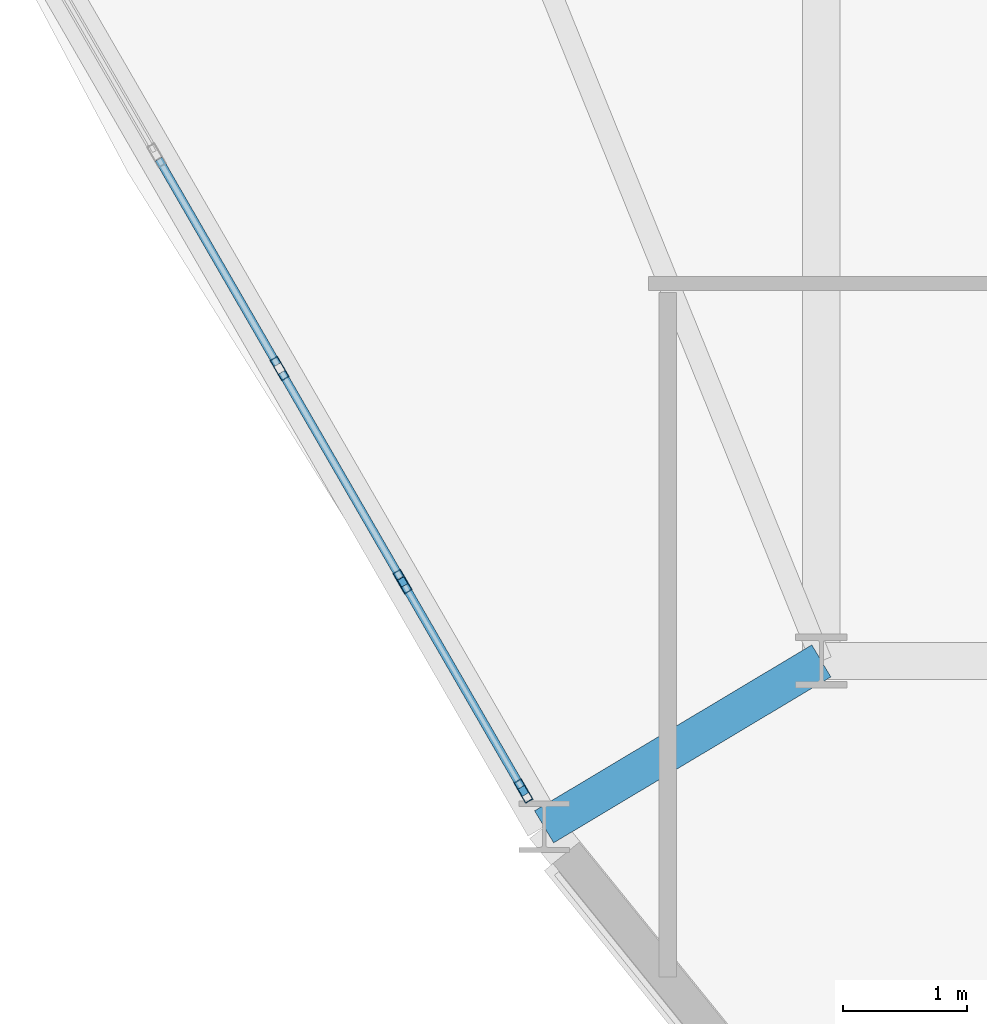
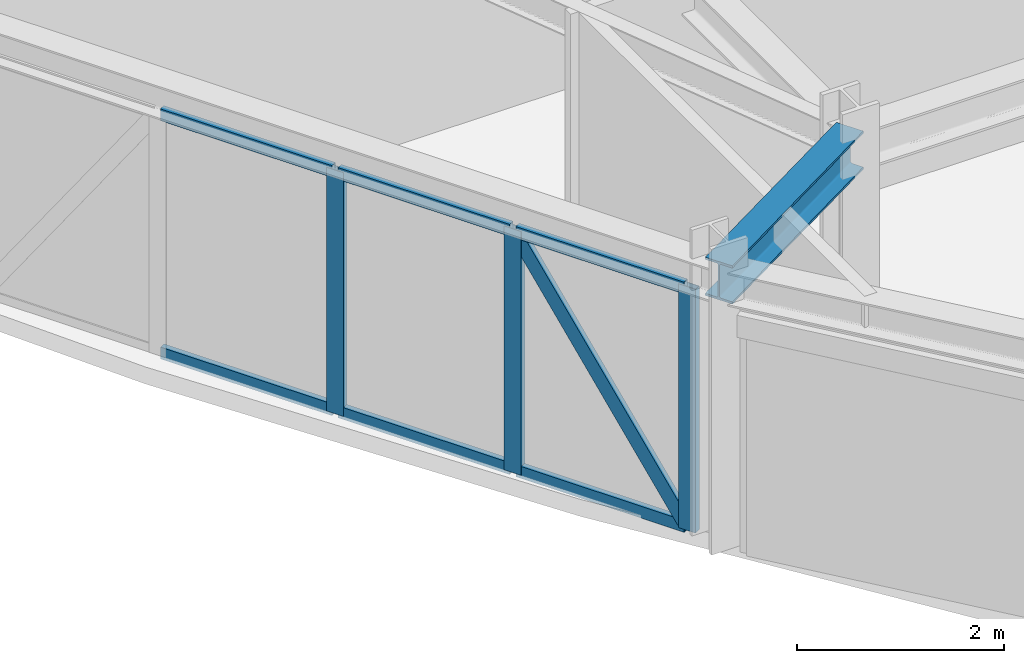
# One storey, part 2 of 14: 10 members, 1 beam, 1 element without a shape of its own.
"""IFC4 building model written with IfcOpenShell, lengths in metres."""

from ifc_helpers import new_model, si_unit, derived_unit, direction, frame, origin, origin_2d, place, context, subcontext, project, spatial, hollow_rectangle, i_section, extrude, source, transform, mapped, material, layer, layer_set, material_profile, profile_set, type_object, element, aggregate, save


model = new_model("IFC4")

# Units and contexts
model_context = context("Model", 3, precision=1e-05, world=origin(), true_north=direction((0.0, 1.0)))
body_context = subcontext(model_context, "Body", "Model", "MODEL_VIEW")
ifc_project = project(units=[si_unit("LENGTHUNIT", "METRE"), si_unit("AREAUNIT", "SQUARE_METRE"), si_unit("VOLUMEUNIT", "CUBIC_METRE"), si_unit("PLANEANGLEUNIT", "RADIAN"), si_unit("MASSUNIT", "GRAM", prefix="KILO"), derived_unit("THERMALTRANSMITTANCEUNIT", [(si_unit("POWERUNIT", "WATT"), 1), (si_unit("LENGTHUNIT", "METRE"), -2), (si_unit("THERMODYNAMICTEMPERATUREUNIT", "KELVIN"), -1)])], contexts=[model_context])

# Site, building, storey
site_placement = place(None, origin())
site = spatial("IfcSite", under=ifc_project, at=site_placement, CompositionType="ELEMENT")
building_placement = place(site_placement, origin())
building = spatial("IfcBuilding", under=site, at=building_placement, Name="Korsvarv Bourse and Concert Hall", CompositionType="ELEMENT")
storey_placement = place(building_placement, frame((0.0, 0.0, 197.39990234375)))
storey = spatial("IfcBuildingStorey", under=building, at=storey_placement, Name="L51", CompositionType="ELEMENT", Elevation=197.39990234375)

# Beam
ifc_material_1 = material(Name="Steel S355", Category="steel")
ifc_material_profile_1 = material_profile(ifc_material_1, i_section(OverallWidth=0.300048828125, OverallDepth=0.449951171875, WebThickness=0.013916015625, FlangeThickness=0.02587890625, FilletRadius=0.02099609375, at=origin_2d()), Name="HEB 450")
ifc_profile_set_1 = profile_set([ifc_material_profile_1], Name="Steel S355")
beam_type = type_object("IfcBeamType", Name="BM-HEB450", PredefinedType="SPANDREL", material=ifc_profile_set_1)
shared_shape_1 = source(origin(), body_context, "Body", "SweptSolid", [
    extrude(i_section(OverallWidth=0.300048828125, OverallDepth=0.449951171875, WebThickness=0.013916015625, FlangeThickness=0.02587890625, FilletRadius=0.02099609375, at=origin_2d()), origin(), (0.0, 0.0, 1.0), 2.59765625),
])
beam_placement = place(storey_placement, frame((25.37109375, 22.666015625, 3.03515625), z_axis=(0.858072868624, 0.513527946787, 0.0), x_axis=(-0.513527946787, 0.858072868624, 0.0)))
element("IfcBeam", 1, at=beam_placement, inside=storey, type_object=beam_type, Name="L51 beam B-08", PredefinedType="SPANDREL", context=body_context, shape_type="MappedRepresentation", body=[
    mapped(shared_shape_1, transform((0.0, 0.0, 0.0), scale=1.0)),
])

# Curtain wall, members
ifc_material_2 = material(Name="Anodised aluminium and triple low-E glazing", Category="glass")
ifc_layer = layer(ifc_material_2, 0.199951171875)
ifc_layer_set = layer_set([ifc_layer], Name="Anodised aluminium and triple low-E glazing")
curtain_wall_type = type_object("IfcCurtainWallType", Name="CW-SYS-3", PredefinedType="NOTDEFINED", material=ifc_layer_set)
curtain_wall_placement = place(storey_placement, origin())
curtain_wall = element("IfcCurtainWall", 2, at=curtain_wall_placement, inside=storey, type_object=curtain_wall_type, Name="L51 CW3 curtain wall CW-L51-F07", PredefinedType="NOTDEFINED")
ifc_material_3 = material(Name="Extruded aluminium EN AW-6063 T66", Category="aluminium")
ifc_material_profile_2 = material_profile(ifc_material_3, hollow_rectangle(XDim=0.06494140625, YDim=0.139892578125, WallThickness=0.00390625, at=origin_2d()), Name="ALU-T 65x140")
ifc_profile_set_2 = profile_set([ifc_material_profile_2], Name="Extruded aluminium EN AW-6063 T66")
member_type_1 = type_object("IfcMemberType", Name="CWT-140", PredefinedType="USERDEFINED", material=ifc_profile_set_2)
shared_shape_2 = source(origin(), body_context, "Body", "SweptSolid", [
    extrude(hollow_rectangle(XDim=0.06494140625, YDim=0.139892578125, WallThickness=0.00390625, at=origin_2d()), origin(), (0.0, 0.0, 1.0), 1.908447265625),
])
member_1_placement = place(storey_placement, frame((22.272216796875, 28.033935546875, 0.03271484375), z_axis=(0.499936548189, -0.866062034606, 0.0), x_axis=(0.866062034606, 0.499936548189, 0.0)))
member_1 = element("IfcMember", 3, at=member_1_placement, type_object=member_type_1, Name="CW3 transom 4.1", ObjectType="TRANSOM", PredefinedType="USERDEFINED", context=body_context, shape_type="MappedRepresentation", body=[
    mapped(shared_shape_2, transform((0.0, 0.0, 0.0), scale=1.0)),
])
member_2_placement = place(storey_placement, frame((22.272216796875, 28.033935546875, 2.837646484375), z_axis=(0.499936548189, -0.866062034606, 0.0), x_axis=(0.866062034606, 0.499936548189, 0.0)))
member_2 = element("IfcMember", 4, at=member_2_placement, type_object=member_type_1, Name="CW3 transom 4.2", ObjectType="TRANSOM", PredefinedType="USERDEFINED", context=body_context, shape_type="MappedRepresentation", body=[
    mapped(shared_shape_2, transform((0.0, 0.0, 0.0), scale=1.0)),
])
member_3_placement = place(storey_placement, frame((23.26123046875, 26.320556640625, 0.03271484375), z_axis=(0.500032491935, -0.866006643745, 0.0), x_axis=(0.866006643745, 0.500032491935, 0.0)))
member_3 = element("IfcMember", 5, at=member_3_placement, type_object=member_type_1, Name="CW3 transom 5.1", ObjectType="TRANSOM", PredefinedType="USERDEFINED", context=body_context, shape_type="MappedRepresentation", body=[
    mapped(shared_shape_2, transform((0.0, 0.0, 0.0), scale=1.0)),
])
member_4_placement = place(storey_placement, frame((23.26123046875, 26.320556640625, 2.837646484375), z_axis=(0.500032491935, -0.866006643745, 0.0), x_axis=(0.866006643745, 0.500032491935, 0.0)))
member_4 = element("IfcMember", 6, at=member_4_placement, type_object=member_type_1, Name="CW3 transom 5.2", ObjectType="TRANSOM", PredefinedType="USERDEFINED", context=body_context, shape_type="MappedRepresentation", body=[
    mapped(shared_shape_2, transform((0.0, 0.0, 0.0), scale=1.0)),
])
shared_shape_3 = source(origin(), body_context, "Body", "SweptSolid", [
    extrude(hollow_rectangle(XDim=0.06494140625, YDim=0.139892578125, WallThickness=0.00390625, at=origin_2d()), origin(), (0.0, 0.0, 1.0), 1.87353515625),
])
member_5_placement = place(storey_placement, frame((24.25048828125, 24.607177734375, 0.03271484375), z_axis=(0.49999316964, -0.866029347258, 0.0), x_axis=(0.866029347258, 0.49999316964, 0.0)))
member_5 = element("IfcMember", 7, at=member_5_placement, type_object=member_type_1, Name="CW3 transom 6.1", ObjectType="TRANSOM", PredefinedType="USERDEFINED", context=body_context, shape_type="MappedRepresentation", body=[
    mapped(shared_shape_3, transform((0.0, 0.0, 0.0), scale=1.0)),
])
member_6_placement = place(storey_placement, frame((24.25048828125, 24.607177734375, 2.837646484375), z_axis=(0.49999316964, -0.866029347258, 0.0), x_axis=(0.866029347258, 0.49999316964, 0.0)))
member_6 = element("IfcMember", 8, at=member_6_placement, type_object=member_type_1, Name="CW3 transom 6.2", ObjectType="TRANSOM", PredefinedType="USERDEFINED", context=body_context, shape_type="MappedRepresentation", body=[
    mapped(shared_shape_3, transform((0.0, 0.0, 0.0), scale=1.0)),
])
ifc_material_profile_3 = material_profile(ifc_material_3, hollow_rectangle(XDim=0.070068359375, YDim=0.18994140625, WallThickness=0.0048828125, at=origin_2d()), Name="ALU-M 70x190")
ifc_profile_set_3 = profile_set([ifc_material_profile_3], Name="Extruded aluminium EN AW-6063 T66")
member_type_2 = type_object("IfcMemberType", Name="CWM-190", PredefinedType="MULLION", material=ifc_profile_set_3)
shared_shape_4 = source(origin(), body_context, "Body", "SweptSolid", [
    extrude(hollow_rectangle(XDim=0.070068359375, YDim=0.18994140625, WallThickness=0.0048828125, at=origin_2d()), origin(), (0.0, 0.0, 1.0), 2.8701171875),
])
member_7_placement = place(storey_placement, frame((23.243896484375, 26.350830078125, 0.0), z_axis=(0.0, 0.0, 1.0), x_axis=(0.866029726531, 0.499992512708, 0.0)))
member_7 = element("IfcMember", 9, at=member_7_placement, type_object=member_type_2, Name="CW3 mullion 5", PredefinedType="MULLION", context=body_context, shape_type="MappedRepresentation", body=[
    mapped(shared_shape_4, transform((0.0, 0.0, 0.0), scale=1.0)),
])
member_8_placement = place(storey_placement, frame((24.23291015625, 24.637451171875, 0.0), z_axis=(0.0, 0.0, 1.0), x_axis=(0.866029726531, 0.499992512708, 0.0)))
member_8 = element("IfcMember", 10, at=member_8_placement, type_object=member_type_2, Name="CW3 mullion 6", PredefinedType="MULLION", context=body_context, shape_type="MappedRepresentation", body=[
    mapped(shared_shape_4, transform((0.0, 0.0, 0.0), scale=1.0)),
])
member_9_placement = place(storey_placement, frame((25.20458984375, 22.954345703125, 0.0), z_axis=(0.0, 0.0, 1.0), x_axis=(0.866029726531, 0.499992512708, 0.0)))
member_9 = element("IfcMember", 11, at=member_9_placement, type_object=member_type_2, Name="CW3 mullion 7", PredefinedType="MULLION", context=body_context, shape_type="MappedRepresentation", body=[
    mapped(shared_shape_4, transform((0.0, 0.0, 0.0), scale=1.0)),
])
ifc_material_profile_4 = material_profile(ifc_material_3, hollow_rectangle(XDim=0.06494140625, YDim=0.1650390625, WallThickness=0.0048828125, at=origin_2d()), Name="ALU-M 65x165")
ifc_profile_set_4 = profile_set([ifc_material_profile_4], Name="Extruded aluminium EN AW-6063 T66")
member_type_3 = type_object("IfcMemberType", Name="CWM-165", PredefinedType="MULLION", material=ifc_profile_set_4)
shared_shape_5 = source(origin(), body_context, "Body", "SweptSolid", [
    extrude(hollow_rectangle(XDim=0.06494140625, YDim=0.1650390625, WallThickness=0.0048828125, at=origin_2d()), origin(), (0.0, 0.0, 1.0), 3.3193359375),
])
member_10_placement = place(storey_placement, frame((25.187255859375, 22.984619140625, 0.065185546875), z_axis=(-0.282218107114, 0.488825003878, 0.825471414163), x_axis=(-0.866029347258, -0.49999316964, 0.0)))
member_10 = element("IfcMember", 12, at=member_10_placement, type_object=member_type_3, Name="CW3 diagonal mullion 6", PredefinedType="MULLION", context=body_context, shape_type="MappedRepresentation", body=[
    mapped(shared_shape_5, transform((0.0, 0.0, 0.0), scale=1.0)),
])
aggregate(curtain_wall, [member_7, member_8, member_9, member_1, member_2, member_3, member_4, member_5, member_6, member_10])

save(model, "model.ifc")
